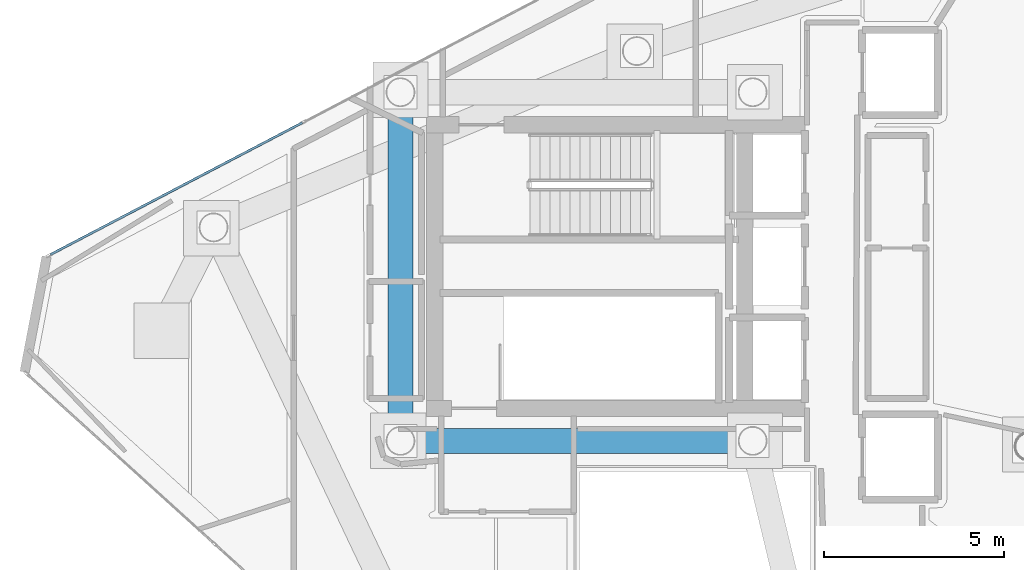
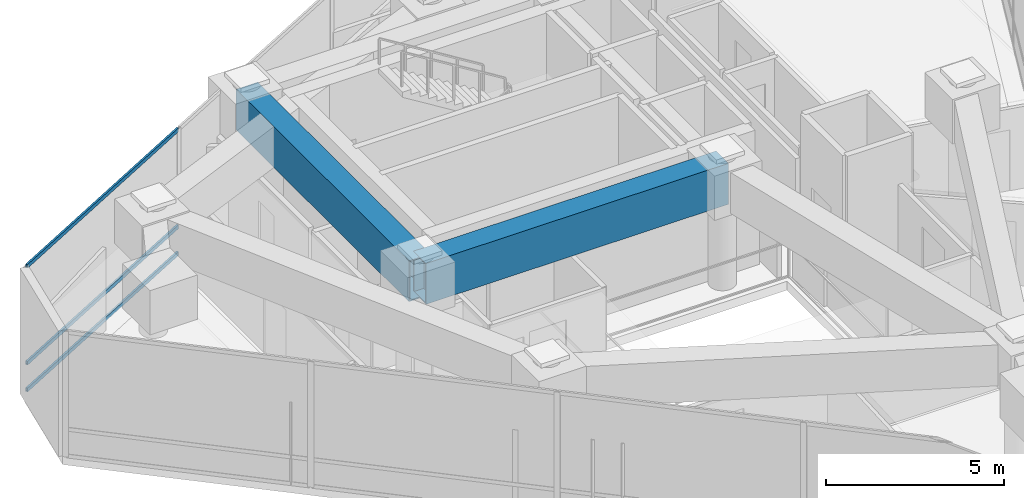
# One storey, part 7 of 17: 3 members, 2 beams, 1 element without a shape of its own.
"""IFC4 building model written with IfcOpenShell, lengths in metres."""

from ifc_helpers import new_model, si_unit, direction, frame, origin, origin_2d, place, context, subcontext, project, spatial, hollow_rectangle, extrude, material, layer, layer_set, material_profile, profile_set, type_object, element, aggregate, save


model = new_model("IFC4")

# Units and contexts
model_context = context("Model", 3, precision=1e-05, world=origin(), true_north=direction((0.0, 1.0)))
body_context = subcontext(model_context, "Body", "Model", "MODEL_VIEW")
ifc_project = project(units=[si_unit("LENGTHUNIT", "METRE"), si_unit("AREAUNIT", "SQUARE_METRE"), si_unit("VOLUMEUNIT", "CUBIC_METRE"), si_unit("PLANEANGLEUNIT", "RADIAN"), si_unit("MASSUNIT", "GRAM", prefix="KILO")], contexts=[model_context])

# Site, building, storey
site_placement = place(None, origin())
site = spatial("IfcSite", under=ifc_project, at=site_placement, CompositionType="ELEMENT")
building_placement = place(site_placement, origin())
building = spatial("IfcBuilding", under=site, at=building_placement, Name="Qianvela Tower", CompositionType="ELEMENT")
storey_placement = place(building_placement, frame((0.0, 0.0, 351.800048828125)))
storey = spatial("IfcBuildingStorey", under=building, at=storey_placement, Name="L91", CompositionType="ELEMENT", Elevation=351.800048828125)

# Beams
ifc_material_1 = material(Name="Steel Q420GJC", Category="steel")
ifc_material_profile_1 = material_profile(ifc_material_1, hollow_rectangle(XDim=0.699951171875, YDim=1.39990234375, WallThickness=0.0400390625, at=origin_2d()), Name="TG-BOX-1400x700x40")
ifc_profile_set_1 = profile_set([ifc_material_profile_1], Name="Steel Q420GJC")
beam_type = type_object("IfcBeamType", Name="BM-TG-RAD-1400", PredefinedType="BEAM", material=ifc_profile_set_1)
beam_1_placement = place(storey_placement, frame((28.60009765625, 23.85009765625, 3.597900390625), z_axis=(1.0, 0.0, 0.0), x_axis=(0.0, 1.0, 0.0)))
element("IfcBeam", 1, at=beam_1_placement, inside=storey, type_object=beam_type, Name="L91 Core Ring Transfer Girder 1", PredefinedType="BEAM", context=body_context, shape_type="SweptSolid", body=[
    extrude(hollow_rectangle(XDim=0.699951171875, YDim=1.39990234375, WallThickness=0.0400390625, at=origin_2d()), origin(), (0.0, 0.0, 1.0), 9.7998046875),
])
beam_2_placement = place(storey_placement, frame((28.60009765625, 33.550048828125, 3.597900390625), z_axis=(0.0, -1.0, 0.0), x_axis=(1.0, 0.0, 0.0)))
element("IfcBeam", 2, at=beam_2_placement, inside=storey, type_object=beam_type, Name="L91 Core Ring Transfer Girder 2", PredefinedType="BEAM", context=body_context, shape_type="SweptSolid", body=[
    extrude(hollow_rectangle(XDim=0.699951171875, YDim=1.39990234375, WallThickness=0.0400390625, at=origin_2d()), origin(), (0.0, 0.0, 1.0), 9.699951171875),
])

# Curtain wall, members
ifc_material_2 = material(Name="Anodised Architectural Aluminium and Low-E Glass", Category="aluminium")
ifc_layer = layer(ifc_material_2, 0.18994140625)
ifc_layer_set = layer_set([ifc_layer], Name="Anodised Architectural Aluminium and Low-E Glass")
curtain_wall_type = type_object("IfcCurtainWallType", Name="CW-SKYLOBBY", PredefinedType="USERDEFINED", material=ifc_layer_set)
curtain_wall_placement = place(storey_placement, origin())
curtain_wall = element("IfcCurtainWall", 3, at=curtain_wall_placement, inside=storey, type_object=curtain_wall_type, Name="L91 CW-SKYLOBBY Curtain Wall 02", ObjectType="CURTAIN_WALL_SYSTEM", PredefinedType="USERDEFINED")
ifc_material_3 = material(Name="Anodised Architectural Aluminium 6063-T6", Category="aluminium")
ifc_material_profile_2 = material_profile(ifc_material_3, hollow_rectangle(XDim=0.06494140625, YDim=0.1298828125, WallThickness=0.00439453125, at=origin_2d()), Name="ALU-TRAN-65x130")
ifc_profile_set_2 = profile_set([ifc_material_profile_2], Name="Anodised Architectural Aluminium 6063-T6")
member_type = type_object("IfcMemberType", Name="CW-SKYLOBBY-TRAN", PredefinedType="USERDEFINED", material=ifc_profile_set_2)
member_1_placement = place(storey_placement, frame((25.87060546875, 32.703125, 0.032470703125), z_axis=(-0.885885867668, -0.463903254426, 0.0), x_axis=(0.463903254426, -0.885885867668, 0.0)))
member_1 = element("IfcMember", 4, at=member_1_placement, type_object=member_type, Name="CW-7 transom 5.1", ObjectType="TRANSOM", PredefinedType="USERDEFINED", context=body_context, shape_type="SweptSolid", body=[
    extrude(hollow_rectangle(XDim=0.06494140625, YDim=0.1298828125, WallThickness=0.00439453125, at=origin_2d()), origin(), (0.0, 0.0, 1.0), 7.91455078125),
])
member_2_placement = place(storey_placement, frame((25.87060546875, 32.703125, 0.949951171875), z_axis=(-0.885885867668, -0.463903254426, 0.0), x_axis=(0.463903254426, -0.885885867668, 0.0)))
member_2 = element("IfcMember", 5, at=member_2_placement, type_object=member_type, Name="CW-7 transom 5.2", ObjectType="TRANSOM", PredefinedType="USERDEFINED", context=body_context, shape_type="SweptSolid", body=[
    extrude(hollow_rectangle(XDim=0.06494140625, YDim=0.1298828125, WallThickness=0.00439453125, at=origin_2d()), origin(), (0.0, 0.0, 1.0), 7.91455078125),
])
member_3_placement = place(storey_placement, frame((25.87060546875, 32.703125, 4.267333984375), z_axis=(-0.885885867668, -0.463903254426, 0.0), x_axis=(0.463903254426, -0.885885867668, 0.0)))
member_3 = element("IfcMember", 6, at=member_3_placement, type_object=member_type, Name="CW-7 transom 5.3", ObjectType="TRANSOM", PredefinedType="USERDEFINED", context=body_context, shape_type="SweptSolid", body=[
    extrude(hollow_rectangle(XDim=0.06494140625, YDim=0.1298828125, WallThickness=0.00439453125, at=origin_2d()), origin(), (0.0, 0.0, 1.0), 7.91455078125),
])
aggregate(curtain_wall, [member_1, member_2, member_3])

save(model, "model.ifc")
